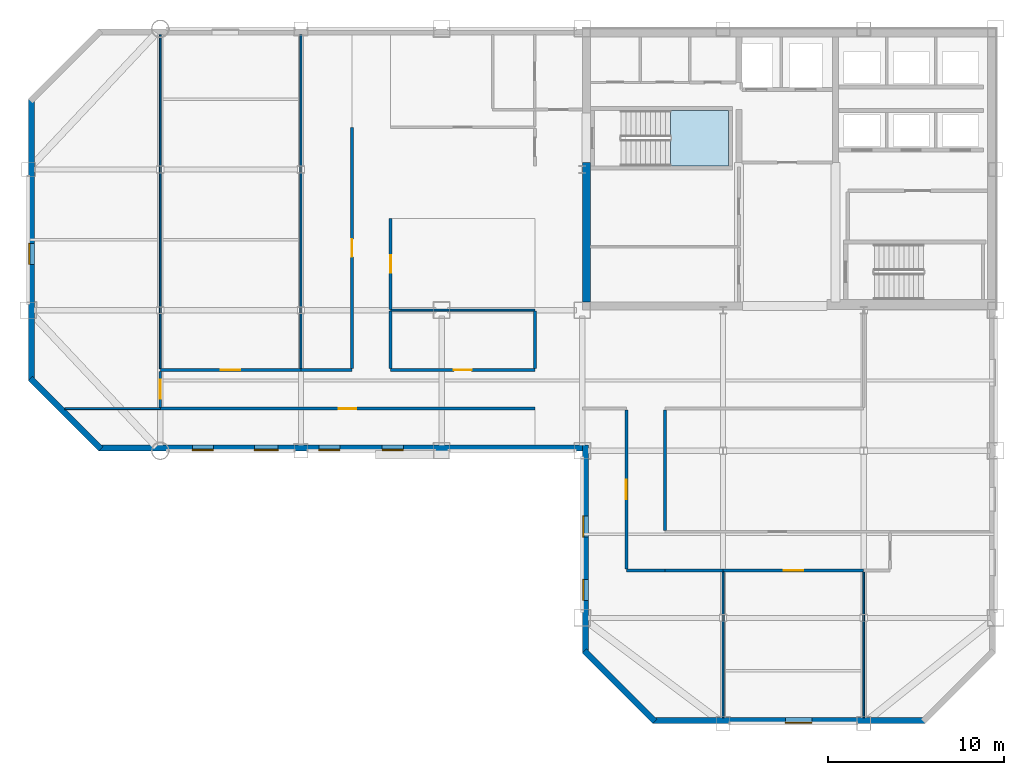
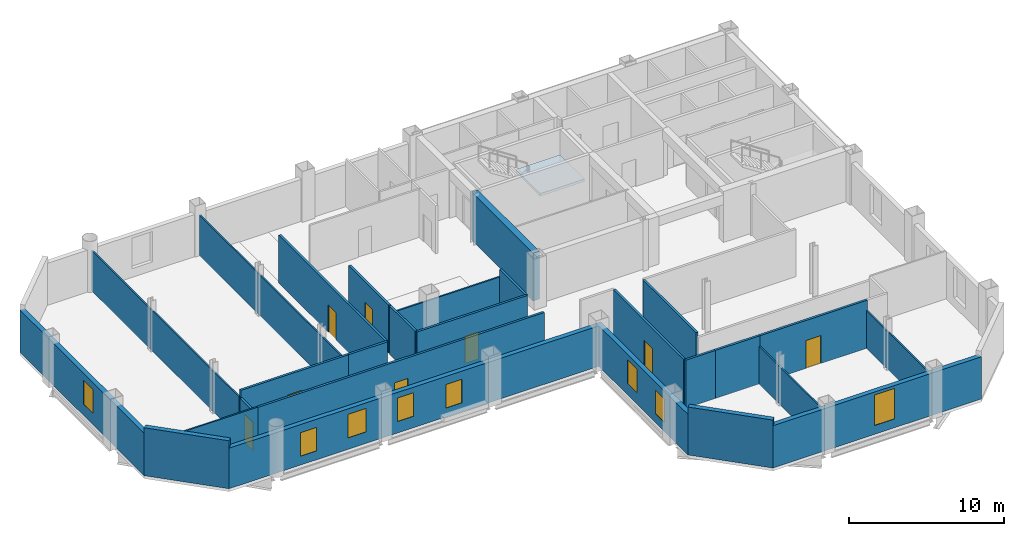
# One storey, part 4 of 9: 27 walls, 8 doors, 8 windows, 1 slab, 16 openings, 1 element without a shape of its own.
"""IFC4 building model written with IfcOpenShell, lengths in metres."""

from ifc_helpers import new_model, si_unit, direction, frame, frame_2d, origin, place, context, subcontext, project, spatial, polyline, rectangle, outline, extrude, material, layer, layer_set, type_object, element, fill, aggregate, save


model = new_model("IFC4")

# Units and contexts
model_context = context("Model", 3, precision=1e-05, world=origin(), true_north=direction((0.0, 1.0)))
body_context = subcontext(model_context, "Body", "Model", "MODEL_VIEW")
ifc_project = project(units=[si_unit("LENGTHUNIT", "METRE"), si_unit("AREAUNIT", "SQUARE_METRE"), si_unit("VOLUMEUNIT", "CUBIC_METRE"), si_unit("PLANEANGLEUNIT", "RADIAN"), si_unit("MASSUNIT", "GRAM", prefix="KILO")], contexts=[model_context])

# Site, building, storey
site_placement = place(None, origin())
site = spatial("IfcSite", under=ifc_project, at=site_placement, CompositionType="ELEMENT")
building_placement = place(site_placement, origin())
building = spatial("IfcBuilding", under=site, at=building_placement, Name="Qianrong Seaharbour Tower", CompositionType="ELEMENT")
storey_placement = place(building_placement, frame((0.0, 0.0, 221.800048828125)))
storey = spatial("IfcBuildingStorey", under=building, at=storey_placement, Name="L53", CompositionType="ELEMENT", Elevation=221.800048828125)

# Stair, slab
ifc_material_1 = material(Name="Concrete C50/60", Category="concrete")
stair_type = type_object("IfcStairType", Name="STAIR-DOGLEG-1500-R22", PredefinedType="HALF_TURN_STAIR", material=ifc_material_1)
stair_placement = place(storey_placement, origin())
stair = element("IfcStair", 1, at=stair_placement, inside=storey, type_object=stair_type, Name="L53 Protected Escape Stair ST-1", PredefinedType="HALF_TURN_STAIR")
ifc_layer_1 = layer(ifc_material_1, 0.199951171875)
ifc_layer_set_1 = layer_set([ifc_layer_1], Name="Concrete C50/60")
slab_type = type_object("IfcSlabType", Name="SLAB-STAIR-LANDING-200", PredefinedType="LANDING", material=ifc_layer_set_1)
slab_placement = place(storey_placement, frame((0.0, 0.0, 1.800048828125)))
slab = element("IfcSlab", 2, at=slab_placement, type_object=slab_type, Name="ST-1 landing 1", PredefinedType="LANDING", context=body_context, shape_type="SweptSolid", body=[
    extrude(outline(polyline([(45.5, 44.199951171875), (48.800048828125, 44.199951171875), (48.800048828125, 47.35009765625), (45.5, 47.35009765625), (45.5, 44.199951171875)])), origin(), (0.0, 0.0, 1.0), 0.199951171875),
])
aggregate(stair, [slab])

# Wall
ifc_material_2 = material(Name="Concrete C60/75", Category="concrete")
ifc_layer_2 = layer(ifc_material_2, 0.4599609375)
ifc_layer_set_2 = layer_set([ifc_layer_2], Name="Concrete C60/75")
wall_type_1 = type_object("IfcWallType", Name="WALL-CORE-460", PredefinedType="SHEAR", material=ifc_layer_set_2)
wall_1_placement = place(storey_placement, frame((40.72998046875, 36.4599609375, 0.0), z_axis=(0.0, 0.0, 1.0), x_axis=(0.0, 1.0, 0.0)))
element("IfcWall", 3, at=wall_1_placement, inside=storey, type_object=wall_type_1, Name="L53 West Core Shear Wall South", PredefinedType="SHEAR", context=body_context, shape_type="SweptSolid", body=[
    extrude(rectangle(XDim=7.93994140625, YDim=0.4599609375, at=frame_2d((3.969970703125, 0.0))), origin(), (0.0, 0.0, 1.0), 3.77490234375),
])

# Wall, opening, door
ifc_material_3 = material(Name="Fire-rated acoustic gypsum board partition")
ifc_layer_3 = layer(ifc_material_3, 0.1650390625)
ifc_layer_set_3 = layer_set([ifc_layer_3], Name="Fire-rated acoustic gypsum board partition")
wall_type_2 = type_object("IfcWallType", Name="WALL-CORR-PART-165", PredefinedType="PARTITIONING", material=ifc_layer_set_3)
wall_2_placement = place(storey_placement, frame((37.800048828125, 30.39990234375, 0.0), z_axis=(0.0, 0.0, 1.0), x_axis=(-1.0, 0.0, 0.0)))
wall_2 = element("IfcWall", 4, at=wall_2_placement, inside=storey, type_object=wall_type_2, Name="L53 Interior Partition Wall 018", PredefinedType="PARTITIONING", context=body_context, shape_type="SweptSolid", body=[
    extrude(rectangle(XDim=21.300048828125, YDim=0.1650390625, at=frame_2d((10.64990234375, 0.0))), origin(), (0.0, 0.0, 1.0), 3.77490234375),
])
opening_1_placement = place(wall_2_placement, frame((10.14990234375, 0.0, 0.0)))
opening_1 = element("IfcOpeningElement", 5, at=opening_1_placement, cuts=wall_2, Name="Opening DO-01", PredefinedType="OPENING", context=body_context, shape_type="SweptSolid", body=[
    extrude(rectangle(XDim=1.0, YDim=2.14990234375, at=frame_2d((0.5, 1.074951171875))), frame((0.0, 0.092529296875, 0.0), z_axis=(0.0, -1.0, 0.0), x_axis=(1.0, 0.0, 0.0)), (0.0, 0.0, 1.0), 0.18505859375),
])
ifc_material_4 = material(Name="Acoustic timber and galvanized steel fire door assembly", Category="steel")
door_type_1 = type_object("IfcDoorType", Name="DOOR-OFFICE-1000x2150", OperationType="NOTDEFINED", PredefinedType="DOOR", material=ifc_material_4)
door_1_placement = place(opening_1_placement, origin())
door_1 = element("IfcDoor", 6, at=door_1_placement, inside=storey, type_object=door_type_1, Name="L53 West Spine Open-Plan Office Door", OperationType="SINGLE_SWING_LEFT", OverallHeight=2.14990234375, OverallWidth=1.0, PredefinedType="DOOR", context=body_context, shape_type="SweptSolid", body=[
    extrude(rectangle(XDim=1.0, YDim=2.14990234375, at=frame_2d((0.5, 1.074951171875))), frame((0.0, 0.02490234375, 0.0), z_axis=(0.0, -1.0, 0.0), x_axis=(1.0, 0.0, 0.0)), (0.0, 0.0, 1.0), 0.050048828125),
])
fill(opening_1, door_1)

wall_3_placement = place(storey_placement, frame((16.5, 30.474609375, 0.0), z_axis=(0.0, 0.0, 1.0), x_axis=(0.0, 1.0, 0.0)))
wall_3 = element("IfcWall", 7, at=wall_3_placement, inside=storey, type_object=wall_type_2, Name="L53 Interior Partition Wall 019", PredefinedType="PARTITIONING", context=body_context, shape_type="SweptSolid", body=[
    extrude(rectangle(XDim=2.05078125, YDim=0.1650390625, at=frame_2d((1.025390625, 0.0))), origin(), (0.0, 0.0, 1.0), 3.178955078125),
])
opening_2_placement = place(wall_3_placement, frame((0.4755859375, 0.0, 0.0)))
opening_2 = element("IfcOpeningElement", 8, at=opening_2_placement, cuts=wall_3, Name="Opening DM-01", PredefinedType="OPENING", context=body_context, shape_type="SweptSolid", body=[
    extrude(rectangle(XDim=1.10009765625, YDim=2.199951171875, at=frame_2d((0.550048828125, 1.10009765625))), frame((0.0, 0.092529296875, 0.0), z_axis=(0.0, -1.0, 0.0), x_axis=(1.0, 0.0, 0.0)), (0.0, 0.0, 1.0), 0.18505859375),
])
door_type_2 = type_object("IfcDoorType", Name="DOOR-MEET-1100x2200", OperationType="NOTDEFINED", PredefinedType="DOOR", material=ifc_material_4)
door_2_placement = place(opening_2_placement, origin())
door_2 = element("IfcDoor", 9, at=door_2_placement, inside=storey, type_object=door_type_2, Name="L53 Boardroom 1 Door", OperationType="SINGLE_SWING_RIGHT", OverallHeight=2.199951171875, OverallWidth=1.10009765625, PredefinedType="DOOR", context=body_context, shape_type="SweptSolid", body=[
    extrude(rectangle(XDim=1.10009765625, YDim=2.199951171875, at=frame_2d((0.550048828125, 1.10009765625))), frame((0.0, 0.02490234375, 0.0), z_axis=(0.0, -1.0, 0.0), x_axis=(1.0, 0.0, 0.0)), (0.0, 0.0, 1.0), 0.050048828125),
])
fill(opening_2, door_2)

wall_4_placement = place(storey_placement, frame((16.5, 32.60009765625, 0.0), z_axis=(0.0, 0.0, 1.0), x_axis=(1.0, 0.0, 0.0)))
wall_4 = element("IfcWall", 10, at=wall_4_placement, inside=storey, type_object=wall_type_2, Name="L53 Interior Partition Wall 020", PredefinedType="PARTITIONING", context=body_context, shape_type="SweptSolid", body=[
    extrude(rectangle(XDim=8.0, YDim=0.1650390625, at=frame_2d((4.0, 0.0))), origin(), (0.0, 0.0, 1.0), 3.77490234375),
])
opening_3_placement = place(wall_4_placement, frame((3.449951171875, 0.0, 0.0)))
opening_3 = element("IfcOpeningElement", 11, at=opening_3_placement, cuts=wall_4, Name="Opening DM-01", PredefinedType="OPENING", context=body_context, shape_type="SweptSolid", body=[
    extrude(rectangle(XDim=1.10009765625, YDim=2.199951171875, at=frame_2d((0.550048828125, 1.10009765625))), frame((0.0, 0.092529296875, 0.0), z_axis=(0.0, -1.0, 0.0), x_axis=(1.0, 0.0, 0.0)), (0.0, 0.0, 1.0), 0.18505859375),
])
door_3_placement = place(opening_3_placement, origin())
door_3 = element("IfcDoor", 12, at=door_3_placement, inside=storey, type_object=door_type_2, Name="L53 Meeting Room 2 Door", OperationType="SINGLE_SWING_LEFT", OverallHeight=2.199951171875, OverallWidth=1.10009765625, PredefinedType="DOOR", context=body_context, shape_type="SweptSolid", body=[
    extrude(rectangle(XDim=1.10009765625, YDim=2.199951171875, at=frame_2d((0.550048828125, 1.10009765625))), frame((0.0, 0.02490234375, 0.0), z_axis=(0.0, -1.0, 0.0), x_axis=(1.0, 0.0, 0.0)), (0.0, 0.0, 1.0), 0.050048828125),
])
fill(opening_3, door_3)

# Wall
wall_5_placement = place(storey_placement, frame((24.5, 32.60009765625, 0.0), z_axis=(0.0, 0.0, 1.0), x_axis=(1.0, 0.0, 0.0)))
element("IfcWall", 13, at=wall_5_placement, inside=storey, type_object=wall_type_2, Name="L53 Interior Partition Wall 021", PredefinedType="PARTITIONING", context=body_context, shape_type="SweptSolid", body=[
    extrude(rectangle(XDim=2.89990234375, YDim=0.1650390625, at=frame_2d((1.449951171875, 0.0))), origin(), (0.0, 0.0, 1.0), 3.77490234375),
])

# Wall, opening, door
wall_6_placement = place(storey_placement, frame((29.60009765625, 32.60009765625, 0.0), z_axis=(0.0, 0.0, 1.0), x_axis=(1.0, 0.0, 0.0)))
wall_6 = element("IfcWall", 14, at=wall_6_placement, inside=storey, type_object=wall_type_2, Name="L53 Interior Partition Wall 022", PredefinedType="PARTITIONING", context=body_context, shape_type="SweptSolid", body=[
    extrude(rectangle(XDim=8.199951171875, YDim=0.1650390625, at=frame_2d((4.10009765625, 0.0))), origin(), (0.0, 0.0, 1.0), 3.77490234375),
])
opening_4_placement = place(wall_6_placement, frame((3.60009765625, 0.0, 0.0)))
opening_4 = element("IfcOpeningElement", 15, at=opening_4_placement, cuts=wall_6, Name="Opening DO-01", PredefinedType="OPENING", context=body_context, shape_type="SweptSolid", body=[
    extrude(rectangle(XDim=1.0, YDim=2.14990234375, at=frame_2d((0.5, 1.074951171875))), frame((0.0, 0.092529296875, 0.0), z_axis=(0.0, -1.0, 0.0), x_axis=(1.0, 0.0, 0.0)), (0.0, 0.0, 1.0), 0.18505859375),
])
door_4_placement = place(opening_4_placement, origin())
door_4 = element("IfcDoor", 16, at=door_4_placement, inside=storey, type_object=door_type_1, Name="L53 Harbour Lecture Hall 1 Door", OperationType="SINGLE_SWING_LEFT", OverallHeight=2.14990234375, OverallWidth=1.0, PredefinedType="DOOR", context=body_context, shape_type="SweptSolid", body=[
    extrude(rectangle(XDim=1.0, YDim=2.14990234375, at=frame_2d((0.5, 1.074951171875))), frame((0.0, 0.02490234375, 0.0), z_axis=(0.0, -1.0, 0.0), x_axis=(1.0, 0.0, 0.0)), (0.0, 0.0, 1.0), 0.050048828125),
])
fill(opening_4, door_4)

wall_7_placement = place(storey_placement, frame((27.39990234375, 32.674560546875, 0.0), z_axis=(0.0, 0.0, 1.0), x_axis=(0.0, 1.0, 0.0)))
wall_7 = element("IfcWall", 17, at=wall_7_placement, inside=storey, type_object=wall_type_2, Name="L53 Interior Partition Wall 023", PredefinedType="PARTITIONING", context=body_context, shape_type="SweptSolid", body=[
    extrude(rectangle(XDim=13.725341796875, YDim=0.1650390625, at=frame_2d((6.86279296875, 0.0))), origin(), (0.0, 0.0, 1.0), 3.77490234375),
])
opening_5_placement = place(wall_7_placement, frame((6.36279296875, 0.0, 0.0)))
opening_5 = element("IfcOpeningElement", 18, at=opening_5_placement, cuts=wall_7, Name="Opening DO-01", PredefinedType="OPENING", context=body_context, shape_type="SweptSolid", body=[
    extrude(rectangle(XDim=1.0, YDim=2.14990234375, at=frame_2d((0.5, 1.074951171875))), frame((0.0, 0.092529296875, 0.0), z_axis=(0.0, -1.0, 0.0), x_axis=(1.0, 0.0, 0.0)), (0.0, 0.0, 1.0), 0.18505859375),
])
door_5_placement = place(opening_5_placement, origin())
door_5 = element("IfcDoor", 19, at=door_5_placement, inside=storey, type_object=door_type_1, Name="L53 Project Library 3 Door", OperationType="SINGLE_SWING_RIGHT", OverallHeight=2.14990234375, OverallWidth=1.0, PredefinedType="DOOR", context=body_context, shape_type="SweptSolid", body=[
    extrude(rectangle(XDim=1.0, YDim=2.14990234375, at=frame_2d((0.5, 1.074951171875))), frame((0.0, 0.02490234375, 0.0), z_axis=(0.0, -1.0, 0.0), x_axis=(1.0, 0.0, 0.0)), (0.0, 0.0, 1.0), 0.050048828125),
])
fill(opening_5, door_5)

# Wall
wall_8_placement = place(storey_placement, frame((29.60009765625, 35.952880859375, 0.0), z_axis=(0.0, 0.0, 1.0), x_axis=(0.0, -1.0, 0.0)))
element("IfcWall", 20, at=wall_8_placement, inside=storey, type_object=wall_type_2, Name="L53 Interior Partition Wall 024", PredefinedType="PARTITIONING", context=body_context, shape_type="SweptSolid", body=[
    extrude(rectangle(XDim=3.2783203125, YDim=0.1650390625, at=frame_2d((1.63916015625, 0.0))), origin(), (0.0, 0.0, 1.0), 3.77490234375),
])

# Wall, opening, door
wall_9_placement = place(storey_placement, frame((29.60009765625, 41.199951171875, 0.0), z_axis=(0.0, 0.0, 1.0), x_axis=(0.0, -1.0, 0.0)))
wall_9 = element("IfcWall", 21, at=wall_9_placement, inside=storey, type_object=wall_type_2, Name="L53 Interior Partition Wall 025", PredefinedType="PARTITIONING", context=body_context, shape_type="SweptSolid", body=[
    extrude(rectangle(XDim=5.15283203125, YDim=0.1650390625, at=frame_2d((2.576416015625, 0.0))), origin(), (0.0, 0.0, 1.0), 3.77490234375),
])
opening_6_placement = place(wall_9_placement, frame((2.076416015625, 0.0, 0.0)))
opening_6 = element("IfcOpeningElement", 22, at=opening_6_placement, cuts=wall_9, Name="Opening DO-01", PredefinedType="OPENING", context=body_context, shape_type="SweptSolid", body=[
    extrude(rectangle(XDim=1.0, YDim=2.14990234375, at=frame_2d((0.5, 1.074951171875))), frame((0.0, 0.092529296875, 0.0), z_axis=(0.0, -1.0, 0.0), x_axis=(1.0, 0.0, 0.0)), (0.0, 0.0, 1.0), 0.18505859375),
])
door_6_placement = place(opening_6_placement, origin())
door_6 = element("IfcDoor", 23, at=door_6_placement, inside=storey, type_object=door_type_1, Name="L53 Division Conference Gallery 2 Door", OperationType="SINGLE_SWING_RIGHT", OverallHeight=2.14990234375, OverallWidth=1.0, PredefinedType="DOOR", context=body_context, shape_type="SweptSolid", body=[
    extrude(rectangle(XDim=1.0, YDim=2.14990234375, at=frame_2d((0.5, 1.074951171875))), frame((0.0, 0.02490234375, 0.0), z_axis=(0.0, -1.0, 0.0), x_axis=(1.0, 0.0, 0.0)), (0.0, 0.0, 1.0), 0.050048828125),
])
fill(opening_6, door_6)

# Walls
wall_10_placement = place(storey_placement, frame((37.800048828125, 32.674560546875, 0.0), z_axis=(0.0, 0.0, 1.0), x_axis=(0.0, 1.0, 0.0)))
element("IfcWall", 24, at=wall_10_placement, inside=storey, type_object=wall_type_2, Name="L53 Interior Partition Wall 029", PredefinedType="PARTITIONING", context=body_context, shape_type="SweptSolid", body=[
    extrude(rectangle(XDim=3.2783203125, YDim=0.1650390625, at=frame_2d((1.63916015625, 0.0))), origin(), (0.0, 0.0, 1.0), 3.77490234375),
])
wall_11_placement = place(storey_placement, frame((45.199951171875, 30.325439453125, 0.0), z_axis=(0.0, 0.0, 1.0), x_axis=(0.0, -1.0, 0.0)))
element("IfcWall", 25, at=wall_11_placement, inside=storey, type_object=wall_type_2, Name="L53 Interior Partition Wall 031", PredefinedType="PARTITIONING", context=body_context, shape_type="SweptSolid", body=[
    extrude(rectangle(XDim=6.850830078125, YDim=0.1650390625, at=frame_2d((3.42529296875, 0.0))), origin(), (0.0, 0.0, 1.0), 3.77490234375),
])
wall_12_placement = place(storey_placement, frame((45.199951171875, 21.199951171875, 0.0), z_axis=(0.0, 0.0, 1.0), x_axis=(-1.0, 0.0, 0.0)))
element("IfcWall", 26, at=wall_12_placement, inside=storey, type_object=wall_type_2, Name="L53 Interior Partition Wall 032", PredefinedType="PARTITIONING", context=body_context, shape_type="SweptSolid", body=[
    extrude(rectangle(XDim=2.199951171875, YDim=0.1650390625, at=frame_2d((1.10009765625, 0.0))), origin(), (0.0, 0.0, 1.0), 3.77490234375),
])

# Wall, opening, door
wall_13_placement = place(storey_placement, frame((43.0, 21.2744140625, 0.0), z_axis=(0.0, 0.0, 1.0), x_axis=(0.0, 1.0, 0.0)))
wall_13 = element("IfcWall", 27, at=wall_13_placement, inside=storey, type_object=wall_type_2, Name="L53 Interior Partition Wall 033", PredefinedType="PARTITIONING", context=body_context, shape_type="SweptSolid", body=[
    extrude(rectangle(XDim=9.051025390625, YDim=0.1650390625, at=frame_2d((4.525390625, 0.0))), origin(), (0.0, 0.0, 1.0), 3.77490234375),
])
opening_7_placement = place(wall_13_placement, frame((3.9755859375, 0.0, 0.0)))
opening_7 = element("IfcOpeningElement", 28, at=opening_7_placement, cuts=wall_13, Name="Opening DM-01", PredefinedType="OPENING", context=body_context, shape_type="SweptSolid", body=[
    extrude(rectangle(XDim=1.10009765625, YDim=2.199951171875, at=frame_2d((0.550048828125, 1.10009765625))), frame((0.0, 0.092529296875, 0.0), z_axis=(0.0, -1.0, 0.0), x_axis=(1.0, 0.0, 0.0)), (0.0, 0.0, 1.0), 0.18505859375),
])
door_7_placement = place(opening_7_placement, origin())
door_7 = element("IfcDoor", 29, at=door_7_placement, inside=storey, type_object=door_type_2, Name="L53 Maritime Seminar Room 1 Door", OperationType="SINGLE_SWING_RIGHT", OverallHeight=2.199951171875, OverallWidth=1.10009765625, PredefinedType="DOOR", context=body_context, shape_type="SweptSolid", body=[
    extrude(rectangle(XDim=1.10009765625, YDim=2.199951171875, at=frame_2d((0.550048828125, 1.10009765625))), frame((0.0, 0.02490234375, 0.0), z_axis=(0.0, -1.0, 0.0), x_axis=(1.0, 0.0, 0.0)), (0.0, 0.0, 1.0), 0.050048828125),
])
fill(opening_7, door_7)

# Wall
wall_14_placement = place(storey_placement, frame((48.5, 21.199951171875, 0.0), z_axis=(0.0, 0.0, 1.0), x_axis=(-1.0, 0.0, 0.0)))
element("IfcWall", 30, at=wall_14_placement, inside=storey, type_object=wall_type_2, Name="L53 Interior Partition Wall 035", PredefinedType="PARTITIONING", context=body_context, shape_type="SweptSolid", body=[
    extrude(rectangle(XDim=3.300048828125, YDim=0.1650390625, at=frame_2d((1.64990234375, 0.0))), origin(), (0.0, 0.0, 1.0), 3.77490234375),
])

# Wall, opening, door
wall_15_placement = place(storey_placement, frame((56.5, 21.199951171875, 0.0), z_axis=(0.0, 0.0, 1.0), x_axis=(-1.0, 0.0, 0.0)))
wall_15 = element("IfcWall", 31, at=wall_15_placement, inside=storey, type_object=wall_type_2, Name="L53 Interior Partition Wall 036", PredefinedType="PARTITIONING", context=body_context, shape_type="SweptSolid", body=[
    extrude(rectangle(XDim=8.0, YDim=0.1650390625, at=frame_2d((4.0, 0.0))), origin(), (0.0, 0.0, 1.0), 3.77490234375),
])
opening_8_placement = place(wall_15_placement, frame((3.449951171875, 0.0, 0.0)))
opening_8 = element("IfcOpeningElement", 32, at=opening_8_placement, cuts=wall_15, Name="Opening DM-01", PredefinedType="OPENING", context=body_context, shape_type="SweptSolid", body=[
    extrude(rectangle(XDim=1.10009765625, YDim=2.199951171875, at=frame_2d((0.550048828125, 1.10009765625))), frame((0.0, 0.092529296875, 0.0), z_axis=(0.0, -1.0, 0.0), x_axis=(1.0, 0.0, 0.0)), (0.0, 0.0, 1.0), 0.18505859375),
])
door_8_placement = place(opening_8_placement, origin())
door_8 = element("IfcDoor", 33, at=door_8_placement, inside=storey, type_object=door_type_2, Name="L53 Meeting Room 2 Door", OperationType="SINGLE_SWING_LEFT", OverallHeight=2.199951171875, OverallWidth=1.10009765625, PredefinedType="DOOR", context=body_context, shape_type="SweptSolid", body=[
    extrude(rectangle(XDim=1.10009765625, YDim=2.199951171875, at=frame_2d((0.550048828125, 1.10009765625))), frame((0.0, 0.02490234375, 0.0), z_axis=(0.0, -1.0, 0.0), x_axis=(1.0, 0.0, 0.0)), (0.0, 0.0, 1.0), 0.050048828125),
])
fill(opening_8, door_8)

# Walls
ifc_material_5 = material(Name="Demountable aluminium-framed acoustic office partition", Category="aluminium")
ifc_layer_4 = layer(ifc_material_5, 0.110107421875)
ifc_layer_set_4 = layer_set([ifc_layer_4], Name="Demountable aluminium-framed acoustic office partition")
wall_type_3 = type_object("IfcWallType", Name="WALL-DEMOUNT-110", PredefinedType="MOVABLE", material=ifc_layer_set_4)
wall_16_placement = place(storey_placement, frame((11.069580078125, 30.39990234375, 0.0), z_axis=(0.0, 0.0, 1.0), x_axis=(1.0, 0.0, 0.0)))
element("IfcWall", 34, at=wall_16_placement, inside=storey, type_object=wall_type_3, Name="L53 Interior Partition Wall 040", PredefinedType="MOVABLE", context=body_context, shape_type="SweptSolid", body=[
    extrude(rectangle(XDim=5.430419921875, YDim=0.110107421875, at=frame_2d((2.71533203125, 0.0))), origin(), (0.0, 0.0, 1.0), 3.77490234375),
])
for number, where, z_axis, x_axis, name in (
    (35, (16.5, 51.66796875, 0.0), (0.0, 0.0, 1.0), (0.0, -1.0, 0.0), "L53 Interior Partition Wall 041"),
    (36, (24.5, 51.66796875, 0.0), (0.0, 0.0, 1.0), (0.0, -1.0, 0.0), "L53 Interior Partition Wall 042"),
):
    element("IfcWall", number, at=place(storey_placement, frame(where, z_axis=z_axis, x_axis=x_axis)), inside=storey, type_object=wall_type_3, Name=name, PredefinedType="MOVABLE", context=body_context, shape_type="SweptSolid", body=[
        extrude(rectangle(XDim=18.993408203125, YDim=0.110107421875, at=frame_2d((9.49658203125, 0.0))), origin(), (0.0, 0.0, 1.0), 3.178955078125),
    ])
wall_17_placement = place(storey_placement, frame((29.60009765625, 36.0, 0.0), z_axis=(0.0, 0.0, 1.0), x_axis=(1.0, 0.0, 0.0)))
element("IfcWall", 37, at=wall_17_placement, inside=storey, type_object=wall_type_3, Name="L53 Interior Partition Wall 043", PredefinedType="MOVABLE", context=body_context, shape_type="SweptSolid", body=[
    extrude(rectangle(XDim=8.199951171875, YDim=0.110107421875, at=frame_2d((4.10009765625, 0.0))), origin(), (0.0, 0.0, 1.0), 3.178955078125),
])
for number, where, z_axis, x_axis, name in (
    (38, (48.5, 21.12548828125, 0.0), (0.0, 0.0, 1.0), (0.0, -1.0, 0.0), "L53 Interior Partition Wall 044"),
    (39, (56.5, 21.12548828125, 0.0), (0.0, 0.0, 1.0), (0.0, -1.0, 0.0), "L53 Interior Partition Wall 045"),
):
    element("IfcWall", number, at=place(storey_placement, frame(where, z_axis=z_axis, x_axis=x_axis)), inside=storey, type_object=wall_type_3, Name=name, PredefinedType="MOVABLE", context=body_context, shape_type="SweptSolid", body=[
        extrude(rectangle(XDim=8.29345703125, YDim=0.110107421875, at=frame_2d((4.146728515625, 0.0))), origin(), (0.0, 0.0, 1.0), 2.967041015625),
    ])

# Wall, openings, windows
ifc_material_6 = material(Name="Unitised buff brick on Precast concrete C45/55", Category="masonry")
ifc_layer_5 = layer(ifc_material_6, 0.340087890625)
ifc_layer_set_5 = layer_set([ifc_layer_5], Name="Unitised buff brick on Precast concrete C45/55")
wall_type_4 = type_object("IfcWallType", Name="WALL-EXT-BRICK-BUFF-340", PredefinedType="SOLIDWALL", material=ifc_layer_set_5)
wall_18_placement = place(storey_placement, frame((40.669921875, 16.5, 0.0), z_axis=(0.0, 0.0, 1.0), x_axis=(0.0, 1.0, 0.0)))
wall_18 = element("IfcWall", 40, at=wall_18_placement, inside=storey, type_object=wall_type_4, Name="L53 Exterior Masonry Facade Wall REENTRANT_WEST", PredefinedType="SOLIDWALL", context=body_context, shape_type="SweptSolid", body=[
    extrude(rectangle(XDim=11.840087890625, YDim=0.340087890625, at=frame_2d((5.919921875, 0.0))), origin(), (0.0, 0.0, 1.0), 3.18701171875),
])
opening_9_placement = place(wall_18_placement, frame((3.0, 0.0, 0.699951171875)))
opening_9 = element("IfcOpeningElement", 41, at=opening_9_placement, cuts=wall_18, Name="Opening WN-01", PredefinedType="OPENING", context=body_context, shape_type="SweptSolid", body=[
    extrude(rectangle(XDim=1.199951171875, YDim=1.85009765625, at=frame_2d((0.60009765625, 0.925048828125))), frame((0.0, 0.18017578125, 0.0), z_axis=(0.0, -1.0, 0.0), x_axis=(1.0, 0.0, 0.0)), (0.0, 0.0, 1.0), 0.360107421875),
])
opening_10_placement = place(wall_18_placement, frame((6.60009765625, 0.0, 0.89990234375)))
opening_10 = element("IfcOpeningElement", 42, at=opening_10_placement, cuts=wall_18, Name="Opening WN-01", PredefinedType="OPENING", context=body_context, shape_type="SweptSolid", body=[
    extrude(rectangle(XDim=1.199951171875, YDim=1.85009765625, at=frame_2d((0.60009765625, 0.925048828125))), frame((0.0, 0.18017578125, 0.0), z_axis=(0.0, -1.0, 0.0), x_axis=(1.0, 0.0, 0.0)), (0.0, 0.0, 1.0), 0.360107421875),
])
ifc_material_7 = material(Name="Insulated low-e double glazing in thermally broken aluminium 6063-T6 frame", Category="aluminium")
window_type_1 = type_object("IfcWindowType", Name="WIN-PUNCH-1200x1850", PartitioningType="DOUBLE_PANEL_VERTICAL", PredefinedType="WINDOW", material=ifc_material_7)
window_1_placement = place(opening_9_placement, origin())
window_1 = element("IfcWindow", 43, at=window_1_placement, inside=storey, type_object=window_type_1, Name="L53 Deep-Set Punched Window 00.01", OverallHeight=1.85009765625, OverallWidth=1.199951171875, PartitioningType="DOUBLE_PANEL_VERTICAL", PredefinedType="WINDOW", context=body_context, shape_type="SweptSolid", body=[
    extrude(rectangle(XDim=1.199951171875, YDim=1.85009765625, at=frame_2d((0.60009765625, 0.925048828125))), frame((0.0, 0.150146484375, 0.0), z_axis=(0.0, -1.0, 0.0), x_axis=(1.0, 0.0, 0.0)), (0.0, 0.0, 1.0), 0.06005859375),
])
fill(opening_9, window_1)
window_2_placement = place(opening_10_placement, origin())
window_2 = element("IfcWindow", 44, at=window_2_placement, inside=storey, type_object=window_type_1, Name="L53 Deep-Set Punched Window 00.02", OverallHeight=1.85009765625, OverallWidth=1.199951171875, PartitioningType="DOUBLE_PANEL_VERTICAL", PredefinedType="WINDOW", context=body_context, shape_type="SweptSolid", body=[
    extrude(rectangle(XDim=1.199951171875, YDim=1.85009765625, at=frame_2d((0.60009765625, 0.925048828125))), frame((0.0, 0.150146484375, 0.0), z_axis=(0.0, -1.0, 0.0), x_axis=(1.0, 0.0, 0.0)), (0.0, 0.0, 1.0), 0.06005859375),
])
fill(opening_10, window_2)

wall_19_placement = place(storey_placement, frame((40.52001953125, 28.169921875, 0.0), z_axis=(0.0, 0.0, 1.0), x_axis=(-1.0, 0.0, 0.0)))
wall_19 = element("IfcWall", 45, at=wall_19_placement, inside=storey, type_object=wall_type_4, Name="L53 Exterior Masonry Facade Wall HARBOUR_RIBBON", PredefinedType="SOLIDWALL", context=body_context, shape_type="SweptSolid", body=[
    extrude(rectangle(XDim=27.52001953125, YDim=0.340087890625, at=frame_2d((13.760009765625, 0.0))), origin(), (0.0, 0.0, 1.0), 3.18701171875),
])
opening_11_placement = place(wall_19_placement, frame((10.199951171875, 0.0, 0.699951171875)))
opening_11 = element("IfcOpeningElement", 46, at=opening_11_placement, cuts=wall_19, Name="Opening WN-01", PredefinedType="OPENING", context=body_context, shape_type="SweptSolid", body=[
    extrude(rectangle(XDim=1.199951171875, YDim=1.85009765625, at=frame_2d((0.60009765625, 0.925048828125))), frame((0.0, 0.18017578125, 0.0), z_axis=(0.0, -1.0, 0.0), x_axis=(1.0, 0.0, 0.0)), (0.0, 0.0, 1.0), 0.360107421875),
])
opening_12_placement = place(wall_19_placement, frame((13.800048828125, 0.0, 0.89990234375)))
opening_12 = element("IfcOpeningElement", 47, at=opening_12_placement, cuts=wall_19, Name="Opening WN-01", PredefinedType="OPENING", context=body_context, shape_type="SweptSolid", body=[
    extrude(rectangle(XDim=1.199951171875, YDim=1.85009765625, at=frame_2d((0.60009765625, 0.925048828125))), frame((0.0, 0.18017578125, 0.0), z_axis=(0.0, -1.0, 0.0), x_axis=(1.0, 0.0, 0.0)), (0.0, 0.0, 1.0), 0.360107421875),
])
opening_13_placement = place(wall_19_placement, frame((17.324951171875, 0.0, 0.89990234375)))
opening_13 = element("IfcOpeningElement", 48, at=opening_13_placement, cuts=wall_19, Name="Opening WN-02", PredefinedType="OPENING", context=body_context, shape_type="SweptSolid", body=[
    extrude(rectangle(XDim=1.35009765625, YDim=1.85009765625, at=frame_2d((0.675048828125, 0.925048828125))), frame((0.0, 0.18017578125, 0.0), z_axis=(0.0, -1.0, 0.0), x_axis=(1.0, 0.0, 0.0)), (0.0, 0.0, 1.0), 0.360107421875),
])
opening_14_placement = place(wall_19_placement, frame((21.0, 0.0, 0.699951171875)))
opening_14 = element("IfcOpeningElement", 49, at=opening_14_placement, cuts=wall_19, Name="Opening WN-01", PredefinedType="OPENING", context=body_context, shape_type="SweptSolid", body=[
    extrude(rectangle(XDim=1.199951171875, YDim=1.85009765625, at=frame_2d((0.60009765625, 0.925048828125))), frame((0.0, 0.18017578125, 0.0), z_axis=(0.0, -1.0, 0.0), x_axis=(1.0, 0.0, 0.0)), (0.0, 0.0, 1.0), 0.360107421875),
])
window_3_placement = place(opening_11_placement, origin())
window_3 = element("IfcWindow", 50, at=window_3_placement, inside=storey, type_object=window_type_1, Name="L53 Deep-Set Punched Window 01.03", OverallHeight=1.85009765625, OverallWidth=1.199951171875, PartitioningType="DOUBLE_PANEL_VERTICAL", PredefinedType="WINDOW", context=body_context, shape_type="SweptSolid", body=[
    extrude(rectangle(XDim=1.199951171875, YDim=1.85009765625, at=frame_2d((0.60009765625, 0.925048828125))), frame((0.0, 0.150146484375, 0.0), z_axis=(0.0, -1.0, 0.0), x_axis=(1.0, 0.0, 0.0)), (0.0, 0.0, 1.0), 0.06005859375),
])
fill(opening_11, window_3)
window_4_placement = place(opening_12_placement, origin())
window_4 = element("IfcWindow", 51, at=window_4_placement, inside=storey, type_object=window_type_1, Name="L53 Deep-Set Punched Window 01.04", OverallHeight=1.85009765625, OverallWidth=1.199951171875, PartitioningType="DOUBLE_PANEL_VERTICAL", PredefinedType="WINDOW", context=body_context, shape_type="SweptSolid", body=[
    extrude(rectangle(XDim=1.199951171875, YDim=1.85009765625, at=frame_2d((0.60009765625, 0.925048828125))), frame((0.0, 0.150146484375, 0.0), z_axis=(0.0, -1.0, 0.0), x_axis=(1.0, 0.0, 0.0)), (0.0, 0.0, 1.0), 0.06005859375),
])
fill(opening_12, window_4)
window_5_placement = place(opening_14_placement, origin())
window_5 = element("IfcWindow", 52, at=window_5_placement, inside=storey, type_object=window_type_1, Name="L53 Deep-Set Punched Window 01.06", OverallHeight=1.85009765625, OverallWidth=1.199951171875, PartitioningType="DOUBLE_PANEL_VERTICAL", PredefinedType="WINDOW", context=body_context, shape_type="SweptSolid", body=[
    extrude(rectangle(XDim=1.199951171875, YDim=1.85009765625, at=frame_2d((0.60009765625, 0.925048828125))), frame((0.0, 0.150146484375, 0.0), z_axis=(0.0, -1.0, 0.0), x_axis=(1.0, 0.0, 0.0)), (0.0, 0.0, 1.0), 0.06005859375),
])
fill(opening_14, window_5)
window_type_2 = type_object("IfcWindowType", Name="WIN-PUNCH-1350x1850", PartitioningType="DOUBLE_PANEL_VERTICAL", PredefinedType="WINDOW", material=ifc_material_7)
window_6_placement = place(opening_13_placement, origin())
window_6 = element("IfcWindow", 53, at=window_6_placement, inside=storey, type_object=window_type_2, Name="L53 Deep-Set Punched Window 01.05", OverallHeight=1.85009765625, OverallWidth=1.35009765625, PartitioningType="DOUBLE_PANEL_VERTICAL", PredefinedType="WINDOW", context=body_context, shape_type="SweptSolid", body=[
    extrude(rectangle(XDim=1.35009765625, YDim=1.85009765625, at=frame_2d((0.675048828125, 0.925048828125))), frame((0.0, 0.150146484375, 0.0), z_axis=(0.0, -1.0, 0.0), x_axis=(1.0, 0.0, 0.0)), (0.0, 0.0, 1.0), 0.06005859375),
])
fill(opening_13, window_6)

# Wall
wall_20_placement = place(storey_placement, frame((13.1201171875, 28.1201171875, 0.0), z_axis=(0.0, 0.0, 1.0), x_axis=(-0.707106781187, 0.707106781187, 0.0)))
element("IfcWall", 54, at=wall_20_placement, inside=storey, type_object=wall_type_4, Name="L53 Exterior Masonry Facade Wall E02", PredefinedType="SOLIDWALL", context=body_context, shape_type="SweptSolid", body=[
    extrude(rectangle(XDim=5.65673828125, YDim=0.340087890625, at=frame_2d((2.828369140625, 0.0))), origin(), (0.0, 0.0, 1.0), 3.77490234375),
])

# Wall, opening, window
wall_21_placement = place(storey_placement, frame((9.169921875, 32.0, 0.0), z_axis=(0.0, 0.0, 1.0), x_axis=(0.0, 1.0, 0.0)))
wall_21 = element("IfcWall", 55, at=wall_21_placement, inside=storey, type_object=wall_type_4, Name="L53 Exterior Masonry Facade Wall WEST_TIP", PredefinedType="SOLIDWALL", context=body_context, shape_type="SweptSolid", body=[
    extrude(rectangle(XDim=16.0, YDim=0.340087890625, at=frame_2d((8.0, 0.0))), origin(), (0.0, 0.0, 1.0), 3.324951171875),
])
opening_15_placement = place(wall_21_placement, frame((6.60009765625, 0.0, 0.89990234375)))
opening_15 = element("IfcOpeningElement", 56, at=opening_15_placement, cuts=wall_21, Name="Opening WN-01", PredefinedType="OPENING", context=body_context, shape_type="SweptSolid", body=[
    extrude(rectangle(XDim=1.199951171875, YDim=1.85009765625, at=frame_2d((0.60009765625, 0.925048828125))), frame((0.0, 0.18017578125, 0.0), z_axis=(0.0, -1.0, 0.0), x_axis=(1.0, 0.0, 0.0)), (0.0, 0.0, 1.0), 0.360107421875),
])
window_7_placement = place(opening_15_placement, origin())
window_7 = element("IfcWindow", 57, at=window_7_placement, inside=storey, type_object=window_type_1, Name="L53 Deep-Set Punched Window 03.02", OverallHeight=1.85009765625, OverallWidth=1.199951171875, PartitioningType="DOUBLE_PANEL_VERTICAL", PredefinedType="WINDOW", context=body_context, shape_type="SweptSolid", body=[
    extrude(rectangle(XDim=1.199951171875, YDim=1.85009765625, at=frame_2d((0.60009765625, 0.925048828125))), frame((0.0, 0.150146484375, 0.0), z_axis=(0.0, -1.0, 0.0), x_axis=(1.0, 0.0, 0.0)), (0.0, 0.0, 1.0), 0.06005859375),
])
fill(opening_15, window_7)

wall_22_placement = place(storey_placement, frame((60.0, 12.669921875, 0.0), z_axis=(0.0, 0.0, 1.0), x_axis=(-1.0, 0.0, 0.0)))
wall_22 = element("IfcWall", 58, at=wall_22_placement, inside=storey, type_object=wall_type_4, Name="L53 Exterior Masonry Facade Wall SOUTH_TIP", PredefinedType="SOLIDWALL", context=body_context, shape_type="SweptSolid", body=[
    extrude(rectangle(XDim=15.5, YDim=0.340087890625, at=frame_2d((7.75, 0.0))), origin(), (0.0, 0.0, 1.0), 3.324951171875),
])
opening_16_placement = place(wall_22_placement, frame((6.449951171875, 0.0, 0.699951171875)))
opening_16 = element("IfcOpeningElement", 59, at=opening_16_placement, cuts=wall_22, Name="Opening WN-08", PredefinedType="OPENING", context=body_context, shape_type="SweptSolid", body=[
    extrude(rectangle(XDim=1.5, YDim=2.39990234375, at=frame_2d((0.75, 1.199951171875))), frame((0.0, 0.18017578125, 0.0), z_axis=(0.0, -1.0, 0.0), x_axis=(1.0, 0.0, 0.0)), (0.0, 0.0, 1.0), 0.360107421875),
])
window_type_3 = type_object("IfcWindowType", Name="WIN-PUNCH-1500x2400", PartitioningType="DOUBLE_PANEL_HORIZONTAL", PredefinedType="WINDOW", material=ifc_material_7)
window_8_placement = place(opening_16_placement, origin())
window_8 = element("IfcWindow", 60, at=window_8_placement, inside=storey, type_object=window_type_3, Name="L53 Deep-Set Punched Window 08.02", OverallHeight=2.39990234375, OverallWidth=1.5, PartitioningType="DOUBLE_PANEL_HORIZONTAL", PredefinedType="WINDOW", context=body_context, shape_type="SweptSolid", body=[
    extrude(rectangle(XDim=1.5, YDim=2.39990234375, at=frame_2d((0.75, 1.199951171875))), frame((0.0, 0.150146484375, 0.0), z_axis=(0.0, -1.0, 0.0), x_axis=(1.0, 0.0, 0.0)), (0.0, 0.0, 1.0), 0.06005859375),
])
fill(opening_16, window_8)

# Wall
wall_23_placement = place(storey_placement, frame((44.6201171875, 12.6201171875, 0.0), z_axis=(0.0, 0.0, 1.0), x_axis=(-0.707106781187, 0.707106781187, 0.0)))
element("IfcWall", 61, at=wall_23_placement, inside=storey, type_object=wall_type_4, Name="L53 Exterior Masonry Facade Wall E09", PredefinedType="SOLIDWALL", context=body_context, shape_type="SweptSolid", body=[
    extrude(rectangle(XDim=5.65673828125, YDim=0.340087890625, at=frame_2d((2.828369140625, 0.0))), origin(), (0.0, 0.0, 1.0), 3.77490234375),
])

save(model, "model.ifc")
